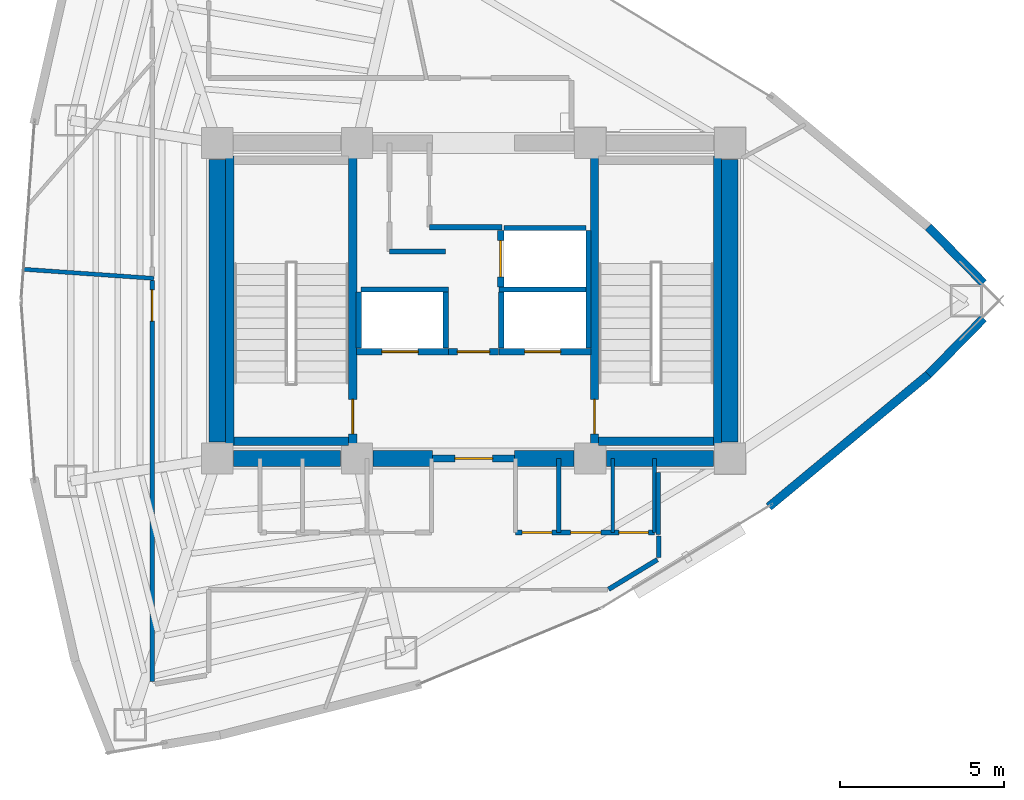
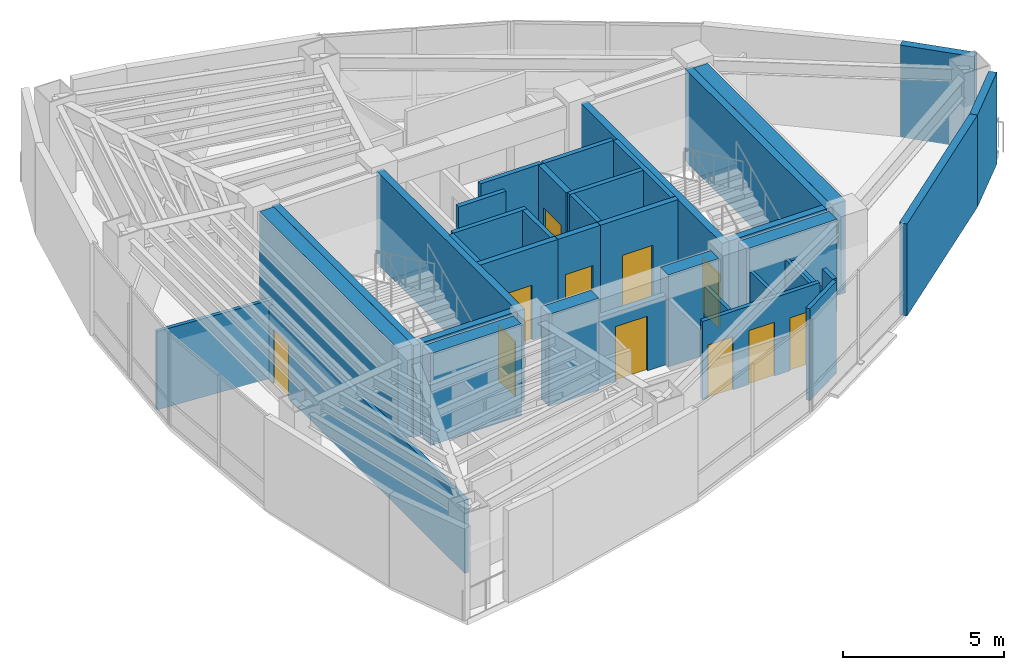
# One storey, part 12 of 15: 38 walls, 11 doors, 11 openings.
"""IFC4 building model written with IfcOpenShell, lengths in metres."""

from ifc_helpers import new_model, si_unit, direction, frame, frame_2d, origin, place, context, subcontext, project, spatial, rectangle, extrude, material, layer, layer_set, type_object, element, fill, save


model = new_model("IFC4")

# Units and contexts
model_context = context("Model", 3, precision=1e-05, world=origin(), true_north=direction((0.0, 1.0)))
body_context = subcontext(model_context, "Body", "Model", "MODEL_VIEW")
ifc_project = project(units=[si_unit("LENGTHUNIT", "METRE"), si_unit("AREAUNIT", "SQUARE_METRE"), si_unit("VOLUMEUNIT", "CUBIC_METRE"), si_unit("PLANEANGLEUNIT", "RADIAN"), si_unit("MASSUNIT", "GRAM", prefix="KILO")], contexts=[model_context])

# Site, building, storey
site_placement = place(None, origin())
site = spatial("IfcSite", under=ifc_project, at=site_placement, CompositionType="ELEMENT")
building_placement = place(site_placement, origin())
building = spatial("IfcBuilding", under=site, at=building_placement, Name="Menara Vayukalpa", CompositionType="ELEMENT")
storey_placement = place(building_placement, frame((0.0, 0.0, 223.260009765625)))
storey = spatial("IfcBuildingStorey", under=building, at=storey_placement, Name="L56", CompositionType="ELEMENT", Elevation=223.260009765625)

# Walls
ifc_material_1 = material(Name="Concrete C60/75", Category="concrete")
ifc_layer_1 = layer(ifc_material_1, 0.5)
ifc_layer_set_1 = layer_set([ifc_layer_1], Name="Concrete C60/75")
wall_type_1 = type_object("IfcWallType", Name="WAL-CW500", PredefinedType="SHEAR", material=ifc_layer_set_1)
wall_1_placement = place(storey_placement, frame((18.294921875, 17.199951171875, 0.0), z_axis=(0.0, 0.0, 1.0), x_axis=(1.0, 0.0, 0.0)))
element("IfcWall", 1, at=wall_1_placement, inside=storey, type_object=wall_type_1, Name="L56 Buttressed Core Shear Wall CWS1", PredefinedType="SHEAR", context=body_context, shape_type="SweptSolid", body=[
    extrude(rectangle(XDim=3.260009765625, YDim=0.5, at=frame_2d((1.6298828125, 0.0))), origin(), (0.0, 0.0, 1.0), 3.5),
])
wall_2_placement = place(storey_placement, frame((22.544921875, 17.199951171875, 0.0), z_axis=(0.0, 0.0, 1.0), x_axis=(1.0, 0.0, 0.0)))
element("IfcWall", 2, at=wall_2_placement, inside=storey, type_object=wall_type_1, Name="L56 Buttressed Core Shear Wall CWS2", PredefinedType="SHEAR", context=body_context, shape_type="SweptSolid", body=[
    extrude(rectangle(XDim=1.80517578125, YDim=0.5, at=frame_2d((0.902587890625, 0.0))), origin(), (0.0, 0.0, 1.0), 3.5),
])
wall_3_placement = place(storey_placement, frame((26.85009765625, 17.199951171875, 0.0), z_axis=(0.0, 0.0, 1.0), x_axis=(1.0, 0.0, 0.0)))
element("IfcWall", 3, at=wall_3_placement, inside=storey, type_object=wall_type_1, Name="L56 Buttressed Core Shear Wall CWS3", PredefinedType="SHEAR", context=body_context, shape_type="SweptSolid", body=[
    extrude(rectangle(XDim=1.804931640625, YDim=0.5, at=frame_2d((0.90234375, 0.0))), origin(), (0.0, 0.0, 1.0), 3.5),
])
wall_4_placement = place(storey_placement, frame((29.64501953125, 17.199951171875, 0.0), z_axis=(0.0, 0.0, 1.0), x_axis=(1.0, 0.0, 0.0)))
element("IfcWall", 4, at=wall_4_placement, inside=storey, type_object=wall_type_1, Name="L56 Buttressed Core Shear Wall CWS4", PredefinedType="SHEAR", context=body_context, shape_type="SweptSolid", body=[
    extrude(rectangle(XDim=3.260009765625, YDim=0.5, at=frame_2d((1.6298828125, 0.0))), origin(), (0.0, 0.0, 1.0), 3.5),
])
for number, where, z_axis, x_axis, name in (
    (5, (17.800048828125, 17.695068359375, 0.0), (0.0, 0.0, 1.0), (0.0, 1.0, 0.0), "L56 Buttressed Core Shear Wall CWW1"),
    (6, (33.39990234375, 17.695068359375, 0.0), (0.0, 0.0, 1.0), (0.0, 1.0, 0.0), "L56 Buttressed Core Shear Wall CWE1"),
):
    element("IfcWall", number, at=place(storey_placement, frame(where, z_axis=z_axis, x_axis=x_axis)), inside=storey, type_object=wall_type_1, Name=name, PredefinedType="SHEAR", context=body_context, shape_type="SweptSolid", body=[
        extrude(rectangle(XDim=8.60986328125, YDim=0.5, at=frame_2d((4.304931640625, 0.0))), origin(), (0.0, 0.0, 1.0), 3.5),
    ])
ifc_material_2 = material(Name="Insulated Precast Concrete C40/50", Category="concrete")
ifc_layer_2 = layer(ifc_material_2, 0.260009765625)
ifc_layer_set_2 = layer_set([ifc_layer_2], Name="Insulated Precast Concrete C40/50")
wall_type_2 = type_object("IfcWallType", Name="WAL-EXT260", PredefinedType="PARTITIONING", material=ifc_layer_set_2)
for number, where, z_axis, x_axis, name in (
    (7, (41.11669921875, 21.466552734375, 0.0), (0.0, 0.0, 1.0), (-0.700567481584, -0.7135861572, 0.0), "L56 Perimeter Terracotta Pier Wall 01"),
    (8, (39.43505859375, 24.246337890625, 0.0), (0.0, 0.0, 1.0), (0.700567481584, -0.7135861572, 0.0), "L56 Perimeter Terracotta Pier Wall 02"),
):
    element("IfcWall", number, at=place(storey_placement, frame(where, z_axis=z_axis, x_axis=x_axis)), inside=storey, type_object=wall_type_2, Name=name, PredefinedType="PARTITIONING", context=body_context, shape_type="SweptSolid", body=[
        extrude(rectangle(XDim=2.400390625, YDim=0.260009765625, at=frame_2d((1.2001953125, 0.0))), origin(), (0.0, 0.0, 1.0), 3.5),
    ])
wall_5_placement = place(storey_placement, frame((39.44384765625, 19.76171875, 0.0), z_axis=(0.0, 0.0, 1.0), x_axis=(-0.769765373155, -0.638326930571, 0.0)))
element("IfcWall", 9, at=wall_5_placement, inside=storey, type_object=wall_type_2, Name="L56 Perimeter Terracotta Pier Wall 18", PredefinedType="PARTITIONING", context=body_context, shape_type="SweptSolid", body=[
    extrude(rectangle(XDim=6.3154296875, YDim=0.260009765625, at=frame_2d((3.15771484375, 0.0))), origin(), (0.0, 0.0, 1.0), 3.5),
])
ifc_material_3 = material(Name="Lightweight Concrete Blockwork C16/20", Category="masonry")
ifc_layer_3 = layer(ifc_material_3, 0.159912109375)
ifc_layer_set_3 = layer_set([ifc_layer_3], Name="Lightweight Concrete Blockwork C16/20")
wall_type_3 = type_object("IfcWallType", Name="WAL-FR150", PredefinedType="PARTITIONING", material=ifc_layer_set_3)
for number, where, z_axis, x_axis, name in (
    (10, (22.10498046875, 20.56005859375, 0.0), (0.0, 0.0, 1.0), (0.0, 1.0, 0.0), "L56 Interior Partition IW-L56-SHW-WW"),
    (11, (24.7548828125, 20.56005859375, 0.0), (0.0, 0.0, 1.0), (0.0, 1.0, 0.0), "L56 Interior Partition IW-L56-SHW-W1E"),
):
    element("IfcWall", number, at=place(storey_placement, frame(where, z_axis=z_axis, x_axis=x_axis)), inside=storey, type_object=wall_type_3, Name=name, PredefinedType="PARTITIONING", context=body_context, shape_type="SweptSolid", body=[
        extrude(rectangle(XDim=1.7099609375, YDim=0.159912109375, at=frame_2d((0.85498046875, 0.0))), origin(), (0.0, 0.0, 1.0), 3.5),
    ])
wall_6_placement = place(storey_placement, frame((22.179931640625, 22.344970703125, 0.0), z_axis=(0.0, 0.0, 1.0), x_axis=(1.0, 0.0, 0.0)))
element("IfcWall", 12, at=wall_6_placement, inside=storey, type_object=wall_type_3, Name="L56 Interior Partition IW-L56-SHM-W12", PredefinedType="PARTITIONING", context=body_context, shape_type="SweptSolid", body=[
    extrude(rectangle(XDim=2.650146484375, YDim=0.159912109375, at=frame_2d((1.3251953125, 0.0))), origin(), (0.0, 0.0, 1.0), 3.5),
])
wall_7_placement = place(storey_placement, frame((29.094970703125, 20.56005859375, 0.0), z_axis=(0.0, 0.0, 1.0), x_axis=(0.0, 1.0, 0.0)))
element("IfcWall", 13, at=wall_7_placement, inside=storey, type_object=wall_type_3, Name="L56 Interior Partition IW-L56-SHW-EE", PredefinedType="PARTITIONING", context=body_context, shape_type="SweptSolid", body=[
    extrude(rectangle(XDim=3.579833984375, YDim=0.159912109375, at=frame_2d((1.7900390625, 0.0))), origin(), (0.0, 0.0, 1.0), 3.5),
])
wall_8_placement = place(storey_placement, frame((26.445068359375, 20.56005859375, 0.0), z_axis=(0.0, 0.0, 1.0), x_axis=(0.0, 1.0, 0.0)))
element("IfcWall", 14, at=wall_8_placement, inside=storey, type_object=wall_type_3, Name="L56 Interior Partition IW-L56-SHW-E1W", PredefinedType="PARTITIONING", context=body_context, shape_type="SweptSolid", body=[
    extrude(rectangle(XDim=1.7099609375, YDim=0.159912109375, at=frame_2d((0.85498046875, 0.0))), origin(), (0.0, 0.0, 1.0), 3.5),
])
wall_9_placement = place(storey_placement, frame((26.3701171875, 22.344970703125, 0.0), z_axis=(0.0, 0.0, 1.0), x_axis=(1.0, 0.0, 0.0)))
element("IfcWall", 15, at=wall_9_placement, inside=storey, type_object=wall_type_3, Name="L56 Interior Partition IW-L56-SHM-E13", PredefinedType="PARTITIONING", context=body_context, shape_type="SweptSolid", body=[
    extrude(rectangle(XDim=2.64990234375, YDim=0.159912109375, at=frame_2d((1.324951171875, 0.0))), origin(), (0.0, 0.0, 1.0), 3.5),
])
wall_10_placement = place(storey_placement, frame((26.530029296875, 24.215087890625, 0.0), z_axis=(0.0, 0.0, 1.0), x_axis=(1.0, 0.0, 0.0)))
element("IfcWall", 16, at=wall_10_placement, inside=storey, type_object=wall_type_3, Name="L56 Interior Partition IW-L56-SHM-E32", PredefinedType="PARTITIONING", context=body_context, shape_type="SweptSolid", body=[
    extrude(rectangle(XDim=2.489990234375, YDim=0.159912109375, at=frame_2d((1.2451171875, 0.0))), origin(), (0.0, 0.0, 1.0), 3.5),
])
wall_11_placement = place(storey_placement, frame((23.0400390625, 23.5, 0.0), z_axis=(0.0, 0.0, 1.0), x_axis=(1.0, 0.0, 0.0)))
element("IfcWall", 17, at=wall_11_placement, inside=storey, type_object=wall_type_3, Name="L56 Interior Partition IW-L56-LV7WA", PredefinedType="PARTITIONING", context=body_context, shape_type="SweptSolid", body=[
    extrude(rectangle(XDim=1.699951171875, YDim=0.159912109375, at=frame_2d((0.85009765625, 0.0))), origin(), (0.0, 0.0, 1.0), 3.5),
])
wall_12_placement = place(storey_placement, frame((24.260009765625, 24.239990234375, 0.0), z_axis=(0.0, 0.0, 1.0), x_axis=(1.0, 0.0, 0.0)))
element("IfcWall", 18, at=wall_12_placement, inside=storey, type_object=wall_type_3, Name="L56 Interior Partition IW-L56-LV7EA", PredefinedType="PARTITIONING", context=body_context, shape_type="SweptSolid", body=[
    extrude(rectangle(XDim=2.199951171875, YDim=0.159912109375, at=frame_2d((1.10009765625, 0.0))), origin(), (0.0, 0.0, 1.0), 3.5),
])

# Wall, opening, door
ifc_material_4 = material(Name="Lightweight Concrete Blockwork C16/20", Category="masonry")
ifc_layer_4 = layer(ifc_material_4, 0.199951171875)
ifc_layer_set_4 = layer_set([ifc_layer_4], Name="Lightweight Concrete Blockwork C16/20")
wall_type_4 = type_object("IfcWallType", Name="WAL-FR200", PredefinedType="PARTITIONING", material=ifc_layer_set_4)
wall_13_placement = place(storey_placement, frame((24.35009765625, 17.199951171875, 0.0), z_axis=(0.0, 0.0, 1.0), x_axis=(1.0, 0.0, 0.0)))
wall_13 = element("IfcWall", 19, at=wall_13_placement, inside=storey, type_object=wall_type_4, Name="L56 Interior Partition IW-L56-FFLS", PredefinedType="PARTITIONING", context=body_context, shape_type="SweptSolid", body=[
    extrude(rectangle(XDim=2.5, YDim=0.199951171875, at=frame_2d((1.25, 0.0))), origin(), (0.0, 0.0, 1.0), 2.6298828125),
])
opening_1_placement = place(wall_13_placement, frame((0.679931640625, 0.0, 0.0)))
opening_1 = element("IfcOpeningElement", 20, at=opening_1_placement, cuts=wall_13, Name="Opening ID2", PredefinedType="OPENING", context=body_context, shape_type="SweptSolid", body=[
    extrude(rectangle(XDim=1.14990234375, YDim=2.080078125, at=frame_2d((0.574951171875, 1.0400390625))), frame((0.0, 0.10986328125, 0.0), z_axis=(0.0, -1.0, 0.0), x_axis=(1.0, 0.0, 0.0)), (0.0, 0.0, 1.0), 0.219970703125),
])
ifc_material_5 = material(Name="Fire-Rated Powder-Coated Steel Door", Category="steel")
door_type_1 = type_object("IfcDoorType", Name="DR-FD60W", OperationType="NOTDEFINED", PredefinedType="DOOR", material=ifc_material_5)
door_1_placement = place(opening_1_placement, origin())
door_1 = element("IfcDoor", 21, at=door_1_placement, inside=storey, type_object=door_type_1, Name="L56 Interior Door DR-L56-FFLS", OperationType="SINGLE_SWING_RIGHT", OverallHeight=2.080078125, OverallWidth=1.14990234375, PredefinedType="DOOR", context=body_context, shape_type="SweptSolid", body=[
    extrude(rectangle(XDim=1.14990234375, YDim=2.080078125, at=frame_2d((0.574951171875, 1.0400390625))), frame((0.0, 0.02490234375, 0.0), z_axis=(0.0, -1.0, 0.0), x_axis=(1.0, 0.0, 0.0)), (0.0, 0.0, 1.0), 0.050048828125),
])
fill(opening_1, door_1)

wall_14_placement = place(storey_placement, frame((24.840087890625, 20.449951171875, 0.0), z_axis=(0.0, 0.0, 1.0), x_axis=(1.0, 0.0, 0.0)))
wall_14 = element("IfcWall", 22, at=wall_14_placement, inside=storey, type_object=wall_type_4, Name="L56 Interior Partition IW-L56-FFLN", PredefinedType="PARTITIONING", context=body_context, shape_type="SweptSolid", body=[
    extrude(rectangle(XDim=1.52001953125, YDim=0.199951171875, at=frame_2d((0.760009765625, 0.0))), origin(), (0.0, 0.0, 1.0), 3.5),
])
opening_2_placement = place(wall_14_placement, frame((0.27001953125, 0.0, 0.0)))
opening_2 = element("IfcOpeningElement", 23, at=opening_2_placement, cuts=wall_14, Name="Opening ID3", PredefinedType="OPENING", context=body_context, shape_type="SweptSolid", body=[
    extrude(rectangle(XDim=0.97998046875, YDim=2.06005859375, at=frame_2d((0.489990234375, 1.030029296875))), frame((0.0, 0.10986328125, 0.0), z_axis=(0.0, -1.0, 0.0), x_axis=(1.0, 0.0, 0.0)), (0.0, 0.0, 1.0), 0.219970703125),
])
ifc_material_6 = material(Name="Fire-Rated Powder-Coated Steel Door", Category="steel")
door_type_2 = type_object("IfcDoorType", Name="DR-FD60", OperationType="NOTDEFINED", PredefinedType="DOOR", material=ifc_material_6)
door_2_placement = place(opening_2_placement, origin())
door_2 = element("IfcDoor", 24, at=door_2_placement, inside=storey, type_object=door_type_2, Name="L56 Interior Door DR-L56-FFLN", OperationType="SINGLE_SWING_LEFT", OverallHeight=2.06005859375, OverallWidth=0.97998046875, PredefinedType="DOOR", context=body_context, shape_type="SweptSolid", body=[
    extrude(rectangle(XDim=0.97998046875, YDim=2.06005859375, at=frame_2d((0.489990234375, 1.030029296875))), frame((0.0, 0.02490234375, 0.0), z_axis=(0.0, -1.0, 0.0), x_axis=(1.0, 0.0, 0.0)), (0.0, 0.0, 1.0), 0.050048828125),
])
fill(opening_2, door_2)

wall_15_placement = place(storey_placement, frame((22.030029296875, 20.449951171875, 0.0), z_axis=(0.0, 0.0, 1.0), x_axis=(1.0, 0.0, 0.0)))
wall_15 = element("IfcWall", 25, at=wall_15_placement, inside=storey, type_object=wall_type_4, Name="L56 Interior Partition IW-L56-SH-W1", PredefinedType="PARTITIONING", context=body_context, shape_type="SweptSolid", body=[
    extrude(rectangle(XDim=2.800048828125, YDim=0.199951171875, at=frame_2d((1.39990234375, 0.0))), origin(), (0.0, 0.0, 1.0), 3.5),
])
opening_3_placement = place(wall_15_placement, frame((0.780029296875, 0.0, 0.0)))
opening_3 = element("IfcOpeningElement", 26, at=opening_3_placement, cuts=wall_15, Name="Opening LD1", PredefinedType="OPENING", context=body_context, shape_type="SweptSolid", body=[
    extrude(rectangle(XDim=1.10009765625, YDim=2.080078125, at=frame_2d((0.550048828125, 1.0400390625))), frame((0.0, 0.10986328125, 0.0), z_axis=(0.0, -1.0, 0.0), x_axis=(1.0, 0.0, 0.0)), (0.0, 0.0, 1.0), 0.219970703125),
])
ifc_material_7 = material(Name="Brushed Stainless Steel 316 Lift Door", Category="steel")
door_type_3 = type_object("IfcDoorType", Name="DR-LD110", OperationType="NOTDEFINED", PredefinedType="DOOR", material=ifc_material_7)
door_3_placement = place(opening_3_placement, origin())
door_3 = element("IfcDoor", 27, at=door_3_placement, inside=storey, type_object=door_type_3, Name="L56 Interior Door DR-L56-LD-W1", OperationType="DOUBLE_DOOR_SLIDING", OverallHeight=2.080078125, OverallWidth=1.10009765625, PredefinedType="DOOR", context=body_context, shape_type="SweptSolid", body=[
    extrude(rectangle(XDim=1.10009765625, YDim=2.080078125, at=frame_2d((0.550048828125, 1.0400390625))), frame((0.0, 0.02490234375, 0.0), z_axis=(0.0, -1.0, 0.0), x_axis=(1.0, 0.0, 0.0)), (0.0, 0.0, 1.0), 0.050048828125),
])
fill(opening_3, door_3)

wall_16_placement = place(storey_placement, frame((26.3701171875, 20.449951171875, 0.0), z_axis=(0.0, 0.0, 1.0), x_axis=(1.0, 0.0, 0.0)))
wall_16 = element("IfcWall", 28, at=wall_16_placement, inside=storey, type_object=wall_type_4, Name="L56 Interior Partition IW-L56-SH-E1", PredefinedType="PARTITIONING", context=body_context, shape_type="SweptSolid", body=[
    extrude(rectangle(XDim=2.7998046875, YDim=0.199951171875, at=frame_2d((1.39990234375, 0.0))), origin(), (0.0, 0.0, 1.0), 3.5),
])
opening_4_placement = place(wall_16_placement, frame((0.780029296875, 0.0, 0.0)))
opening_4 = element("IfcOpeningElement", 29, at=opening_4_placement, cuts=wall_16, Name="Opening LD1", PredefinedType="OPENING", context=body_context, shape_type="SweptSolid", body=[
    extrude(rectangle(XDim=1.10009765625, YDim=2.080078125, at=frame_2d((0.550048828125, 1.0400390625))), frame((0.0, 0.10986328125, 0.0), z_axis=(0.0, -1.0, 0.0), x_axis=(1.0, 0.0, 0.0)), (0.0, 0.0, 1.0), 0.219970703125),
])
door_4_placement = place(opening_4_placement, origin())
door_4 = element("IfcDoor", 30, at=door_4_placement, inside=storey, type_object=door_type_3, Name="L56 Interior Door DR-L56-LD-E1", OperationType="DOUBLE_DOOR_SLIDING", OverallHeight=2.080078125, OverallWidth=1.10009765625, PredefinedType="DOOR", context=body_context, shape_type="SweptSolid", body=[
    extrude(rectangle(XDim=1.10009765625, YDim=2.080078125, at=frame_2d((0.550048828125, 1.0400390625))), frame((0.0, 0.02490234375, 0.0), z_axis=(0.0, -1.0, 0.0), x_axis=(1.0, 0.0, 0.0)), (0.0, 0.0, 1.0), 0.050048828125),
])
fill(opening_4, door_4)

wall_17_placement = place(storey_placement, frame((26.419921875, 22.419921875, 0.0), z_axis=(0.0, 0.0, 1.0), x_axis=(0.0, 1.0, 0.0)))
wall_17 = element("IfcWall", 31, at=wall_17_placement, inside=storey, type_object=wall_type_4, Name="L56 Interior Partition IW-L56-SH-E3", PredefinedType="PARTITIONING", context=body_context, shape_type="SweptSolid", body=[
    extrude(rectangle(XDim=1.719970703125, YDim=0.199951171875, at=frame_2d((0.85986328125, 0.0))), origin(), (0.0, 0.0, 1.0), 3.5),
])
opening_5_placement = place(wall_17_placement, frame((0.31005859375, 0.0, 0.0)))
opening_5 = element("IfcOpeningElement", 32, at=opening_5_placement, cuts=wall_17, Name="Opening LD1", PredefinedType="OPENING", context=body_context, shape_type="SweptSolid", body=[
    extrude(rectangle(XDim=1.10009765625, YDim=2.080078125, at=frame_2d((0.550048828125, 1.0400390625))), frame((0.0, 0.10986328125, 0.0), z_axis=(0.0, -1.0, 0.0), x_axis=(1.0, 0.0, 0.0)), (0.0, 0.0, 1.0), 0.219970703125),
])
door_5_placement = place(opening_5_placement, origin())
door_5 = element("IfcDoor", 33, at=door_5_placement, inside=storey, type_object=door_type_3, Name="L56 Interior Door DR-L56-LD-E3", OperationType="DOUBLE_DOOR_SLIDING", OverallHeight=2.080078125, OverallWidth=1.10009765625, PredefinedType="DOOR", context=body_context, shape_type="SweptSolid", body=[
    extrude(rectangle(XDim=1.10009765625, YDim=2.080078125, at=frame_2d((0.550048828125, 1.0400390625))), frame((0.0, 0.02490234375, 0.0), z_axis=(0.0, -1.0, 0.0), x_axis=(1.0, 0.0, 0.0)), (0.0, 0.0, 1.0), 0.050048828125),
])
fill(opening_5, door_5)

# Walls
ifc_material_8 = material(Name="Acoustic Mineral Stud Partition", Category="masonry")
ifc_layer_5 = layer(ifc_material_8, 0.110107421875)
ifc_layer_set_5 = layer_set([ifc_layer_5], Name="Acoustic Mineral Stud Partition")
wall_type_5 = type_object("IfcWallType", Name="WAL-PT110", PredefinedType="PARTITIONING", material=ifc_layer_set_5)
wall_18_placement = place(storey_placement, frame((29.830078125, 14.949951171875, 0.0), z_axis=(0.0, 0.0, 1.0), x_axis=(0.0, 1.0, 0.0)))
element("IfcWall", 34, at=wall_18_placement, inside=storey, type_object=wall_type_5, Name="L56 Interior Partition IW-L56-SVCD-07", PredefinedType="PARTITIONING", context=body_context, shape_type="SweptSolid", body=[
    extrude(rectangle(XDim=2.25, YDim=0.110107421875, at=frame_2d((1.125, 0.0))), origin(), (0.0, 0.0, 1.0), 2.6298828125),
])
ifc_material_9 = material(Name="Gypsum Drywall Steel Stud Assembly", Category="steel")
ifc_layer_6 = layer(ifc_material_9, 0.125)
ifc_layer_set_6 = layer_set([ifc_layer_6], Name="Gypsum Drywall Steel Stud Assembly")
wall_type_6 = type_object("IfcWallType", Name="WAL-PT125", PredefinedType="PARTITIONING", material=ifc_layer_set_6)
for number, where, z_axis, x_axis, name in (
    (35, (28.18994140625, 14.949951171875, 0.0), (0.0, 0.0, 1.0), (0.0, 1.0, 0.0), "L56 Interior Partition IW-L56-SVCD-06"),
    (36, (31.10009765625, 14.949951171875, 0.0), (0.0, 0.0, 1.0), (0.0, 1.0, 0.0), "L56 Interior Partition IW-L56-SVCD-08"),
):
    element("IfcWall", number, at=place(storey_placement, frame(where, z_axis=z_axis, x_axis=x_axis)), inside=storey, type_object=wall_type_6, Name=name, PredefinedType="PARTITIONING", context=body_context, shape_type="SweptSolid", body=[
        extrude(rectangle(XDim=2.25, YDim=0.125, at=frame_2d((1.125, 0.0))), origin(), (0.0, 0.0, 1.0), 2.6298828125),
    ])
wall_19_placement = place(storey_placement, frame((15.8701171875, 22.680419921875, 0.0), z_axis=(0.0, 0.0, 1.0), x_axis=(-0.997563019159, 0.069771217613, 0.0)))
element("IfcWall", 37, at=wall_19_placement, inside=storey, type_object=wall_type_6, Name="L56 Interior Partition IW-L56-RDIV03", PredefinedType="PARTITIONING", context=body_context, shape_type="SweptSolid", body=[
    extrude(rectangle(XDim=3.985595703125, YDim=0.125, at=frame_2d((1.99267578125, 0.0))), origin(), (0.0, 0.0, 1.0), 2.97998046875),
])

# Wall, openings, doors
ifc_material_10 = material(Name="Gypsum Drywall Acoustic Stud Assembly", Category="masonry")
ifc_layer_7 = layer(ifc_material_10, 0.14501953125)
ifc_layer_set_7 = layer_set([ifc_layer_7], Name="Gypsum Drywall Acoustic Stud Assembly")
wall_type_7 = type_object("IfcWallType", Name="WAL-PT150", PredefinedType="PARTITIONING", material=ifc_layer_set_7)
wall_20_placement = place(storey_placement, frame((26.8798828125, 14.949951171875, 0.0), z_axis=(0.0, 0.0, 1.0), x_axis=(1.0, 0.0, 0.0)))
wall_20 = element("IfcWall", 38, at=wall_20_placement, inside=storey, type_object=wall_type_7, Name="L56 Interior Partition IW-L56-SVCS-E", PredefinedType="PARTITIONING", context=body_context, shape_type="SweptSolid", body=[
    extrude(rectangle(XDim=4.22021484375, YDim=0.14501953125, at=frame_2d((2.110107421875, 0.0))), origin(), (0.0, 0.0, 1.0), 2.97998046875),
])
opening_6_placement = place(wall_20_placement, frame((0.199951171875, 0.0, 0.0)))
opening_6 = element("IfcOpeningElement", 39, at=opening_6_placement, cuts=wall_20, Name="Opening ID7", PredefinedType="OPENING", context=body_context, shape_type="SweptSolid", body=[
    extrude(rectangle(XDim=0.89990234375, YDim=2.02001953125, at=frame_2d((0.449951171875, 1.010009765625))), frame((0.0, 0.08251953125, 0.0), z_axis=(0.0, -1.0, 0.0), x_axis=(1.0, 0.0, 0.0)), (0.0, 0.0, 1.0), 0.1650390625),
])
opening_7_placement = place(wall_20_placement, frame((1.669921875, 0.0, 0.0)))
opening_7 = element("IfcOpeningElement", 40, at=opening_7_placement, cuts=wall_20, Name="Opening ID6", PredefinedType="OPENING", context=body_context, shape_type="SweptSolid", body=[
    extrude(rectangle(XDim=0.919921875, YDim=2.050048828125, at=frame_2d((0.4599609375, 1.02490234375))), frame((0.0, 0.08251953125, 0.0), z_axis=(0.0, -1.0, 0.0), x_axis=(1.0, 0.0, 0.0)), (0.0, 0.0, 1.0), 0.1650390625),
])
opening_8_placement = place(wall_20_placement, frame((3.139892578125, 0.0, 0.0)))
opening_8 = element("IfcOpeningElement", 41, at=opening_8_placement, cuts=wall_20, Name="Opening ID7", PredefinedType="OPENING", context=body_context, shape_type="SweptSolid", body=[
    extrude(rectangle(XDim=0.89990234375, YDim=2.02001953125, at=frame_2d((0.449951171875, 1.010009765625))), frame((0.0, 0.08251953125, 0.0), z_axis=(0.0, -1.0, 0.0), x_axis=(1.0, 0.0, 0.0)), (0.0, 0.0, 1.0), 0.1650390625),
])
ifc_material_11 = material(Name="Acoustic Hardwood Veneer Timber Door", Category="wood")
door_type_4 = type_object("IfcDoorType", Name="DR-INT92", OperationType="NOTDEFINED", PredefinedType="DOOR", material=ifc_material_11)
door_6_placement = place(opening_7_placement, origin())
door_6 = element("IfcDoor", 42, at=door_6_placement, inside=storey, type_object=door_type_4, Name="L56 Interior Door DR-L56-KSV2", OperationType="SINGLE_SWING_RIGHT", OverallHeight=2.050048828125, OverallWidth=0.919921875, PredefinedType="DOOR", context=body_context, shape_type="SweptSolid", body=[
    extrude(rectangle(XDim=0.919921875, YDim=2.050048828125, at=frame_2d((0.4599609375, 1.02490234375))), frame((0.0, 0.02490234375, 0.0), z_axis=(0.0, -1.0, 0.0), x_axis=(1.0, 0.0, 0.0)), (0.0, 0.0, 1.0), 0.050048828125),
])
fill(opening_7, door_6)
ifc_material_12 = material(Name="Powder-Coated Steel Riser Access Door", Category="steel")
door_type_5 = type_object("IfcDoorType", Name="DR-RISER", OperationType="NOTDEFINED", PredefinedType="DOOR", material=ifc_material_12)
door_7_placement = place(opening_6_placement, origin())
door_7 = element("IfcDoor", 43, at=door_7_placement, inside=storey, type_object=door_type_5, Name="L56 Interior Door DR-L56-KSV1", OperationType="SINGLE_SWING_LEFT", OverallHeight=2.02001953125, OverallWidth=0.89990234375, PredefinedType="DOOR", context=body_context, shape_type="SweptSolid", body=[
    extrude(rectangle(XDim=0.89990234375, YDim=2.02001953125, at=frame_2d((0.449951171875, 1.010009765625))), frame((0.0, 0.02490234375, 0.0), z_axis=(0.0, -1.0, 0.0), x_axis=(1.0, 0.0, 0.0)), (0.0, 0.0, 1.0), 0.050048828125),
])
fill(opening_6, door_7)
door_8_placement = place(opening_8_placement, origin())
door_8 = element("IfcDoor", 44, at=door_8_placement, inside=storey, type_object=door_type_5, Name="L56 Interior Door DR-L56-SMD", OperationType="SINGLE_SWING_LEFT", OverallHeight=2.02001953125, OverallWidth=0.89990234375, PredefinedType="DOOR", context=body_context, shape_type="SweptSolid", body=[
    extrude(rectangle(XDim=0.89990234375, YDim=2.02001953125, at=frame_2d((0.449951171875, 1.010009765625))), frame((0.0, 0.02490234375, 0.0), z_axis=(0.0, -1.0, 0.0), x_axis=(1.0, 0.0, 0.0)), (0.0, 0.0, 1.0), 0.050048828125),
])
fill(opening_8, door_8)

# Wall, opening, door
wall_21_placement = place(storey_placement, frame((15.820068359375, 22.61376953125, 0.0), z_axis=(0.0, 0.0, 1.0), x_axis=(0.0, -1.0, 0.0)))
wall_21 = element("IfcWall", 45, at=wall_21_placement, inside=storey, type_object=wall_type_7, Name="L56 Interior Partition IW-L56-CRM01-1", PredefinedType="PARTITIONING", context=body_context, shape_type="SweptSolid", body=[
    extrude(rectangle(XDim=12.19287109375, YDim=0.14501953125, at=frame_2d((6.096435546875, 0.0))), origin(), (0.0, 0.0, 1.0), 2.780029296875),
])
opening_9_placement = place(wall_21_placement, frame((0.280029296875, 0.0, 0.0)))
opening_9 = element("IfcOpeningElement", 46, at=opening_9_placement, cuts=wall_21, Name="Opening ID5", PredefinedType="OPENING", context=body_context, shape_type="SweptSolid", body=[
    extrude(rectangle(XDim=0.949951171875, YDim=2.06005859375, at=frame_2d((0.47509765625, 1.030029296875))), frame((0.0, 0.08251953125, 0.0), z_axis=(0.0, -1.0, 0.0), x_axis=(1.0, 0.0, 0.0)), (0.0, 0.0, 1.0), 0.1650390625),
])
ifc_material_13 = material(Name="Acoustic Hardwood Veneer Timber Door", Category="wood")
door_type_6 = type_object("IfcDoorType", Name="DR-INT95", OperationType="NOTDEFINED", PredefinedType="DOOR", material=ifc_material_13)
door_9_placement = place(opening_9_placement, origin())
door_9 = element("IfcDoor", 47, at=door_9_placement, inside=storey, type_object=door_type_6, Name="L56 Interior Door DR-L56-RM01", OperationType="SINGLE_SWING_RIGHT", OverallHeight=2.06005859375, OverallWidth=0.949951171875, PredefinedType="DOOR", context=body_context, shape_type="SweptSolid", body=[
    extrude(rectangle(XDim=0.949951171875, YDim=2.06005859375, at=frame_2d((0.47509765625, 1.030029296875))), frame((0.0, 0.02490234375, 0.0), z_axis=(0.0, -1.0, 0.0), x_axis=(1.0, 0.0, 0.0)), (0.0, 0.0, 1.0), 0.050048828125),
])
fill(opening_9, door_9)

# Walls
wall_22_placement = place(storey_placement, frame((29.708984375, 13.2216796875, 0.0), z_axis=(0.0, 0.0, 1.0), x_axis=(0.854635840942, 0.519227868451, 0.0)))
element("IfcWall", 48, at=wall_22_placement, inside=storey, type_object=wall_type_7, Name="L56 Interior Partition IW-L56-CRM03-2", PredefinedType="PARTITIONING", context=body_context, shape_type="SweptSolid", body=[
    extrude(rectangle(XDim=1.734619140625, YDim=0.14501953125, at=frame_2d((0.8671875, 0.0))), origin(), (0.0, 0.0, 1.0), 3.5),
])
wall_23_placement = place(storey_placement, frame((31.22998046875, 14.190673828125, 0.0), z_axis=(0.0, 0.0, 1.0), x_axis=(0.0, 1.0, 0.0)))
element("IfcWall", 49, at=wall_23_placement, inside=storey, type_object=wall_type_7, Name="L56 Interior Partition IW-L56-CRM03-3", PredefinedType="PARTITIONING", context=body_context, shape_type="SweptSolid", body=[
    extrude(rectangle(XDim=0.659423828125, YDim=0.14501953125, at=frame_2d((0.32958984375, 0.0))), origin(), (0.0, 0.0, 1.0), 3.5),
])
wall_24_placement = place(storey_placement, frame((31.219970703125, 14.888671875, 0.0), z_axis=(0.0, 0.0, 1.0), x_axis=(0.0, 1.0, 0.0)))
element("IfcWall", 50, at=wall_24_placement, inside=storey, type_object=wall_type_7, Name="L56 Interior Partition IW-L56-CRM03-4", PredefinedType="PARTITIONING", context=body_context, shape_type="SweptSolid", body=[
    extrude(rectangle(XDim=1.891357421875, YDim=0.14501953125, at=frame_2d((0.94580078125, 0.0))), origin(), (0.0, 0.0, 1.0), 2.6298828125),
])
ifc_material_14 = material(Name="Concrete C50/60", Category="concrete")
ifc_layer_8 = layer(ifc_material_14, 0.25)
ifc_layer_set_8 = layer_set([ifc_layer_8], Name="Concrete C50/60")
wall_type_8 = type_object("IfcWallType", Name="WAL-SW250", PredefinedType="SHEAR", material=ifc_layer_set_8)
wall_25_placement = place(storey_placement, frame((18.178955078125, 17.60009765625, 0.0), z_axis=(0.0, 0.0, 1.0), x_axis=(0.0, 1.0, 0.0)))
element("IfcWall", 51, at=wall_25_placement, inside=storey, type_object=wall_type_8, Name="L56 ST1 Structural Stair Shaft Wall W", PredefinedType="SHEAR", context=body_context, shape_type="SweptSolid", body=[
    extrude(rectangle(XDim=8.7998046875, YDim=0.25, at=frame_2d((4.39990234375, 0.0))), origin(), (0.0, 0.0, 1.0), 3.5),
])

# Wall, opening, door
wall_26_placement = place(storey_placement, frame((21.925048828125, 17.60009765625, 0.0), z_axis=(0.0, 0.0, 1.0), x_axis=(0.0, 1.0, 0.0)))
wall_26 = element("IfcWall", 52, at=wall_26_placement, inside=storey, type_object=wall_type_8, Name="L56 ST1 Structural Stair Shaft Wall E", PredefinedType="SHEAR", context=body_context, shape_type="SweptSolid", body=[
    extrude(rectangle(XDim=8.7998046875, YDim=0.25, at=frame_2d((4.39990234375, 0.0))), origin(), (0.0, 0.0, 1.0), 3.5),
])
opening_10_placement = place(wall_26_placement, frame((0.35009765625, 0.0, 0.0)))
opening_10 = element("IfcOpeningElement", 53, at=opening_10_placement, cuts=wall_26, Name="Opening ID1", PredefinedType="OPENING", context=body_context, shape_type="SweptSolid", body=[
    extrude(rectangle(XDim=1.050048828125, YDim=2.080078125, at=frame_2d((0.52490234375, 1.0400390625))), frame((0.0, 0.135009765625, 0.0), z_axis=(0.0, -1.0, 0.0), x_axis=(1.0, 0.0, 0.0)), (0.0, 0.0, 1.0), 0.27001953125),
])
ifc_material_15 = material(Name="Fire-Rated Powder-Coated Steel Door", Category="steel")
door_type_7 = type_object("IfcDoorType", Name="DR-FD120", OperationType="NOTDEFINED", PredefinedType="DOOR", material=ifc_material_15)
door_10_placement = place(opening_10_placement, origin())
door_10 = element("IfcDoor", 54, at=door_10_placement, inside=storey, type_object=door_type_7, Name="L56 Stair Exit Door DR-L56-ST1", OperationType="SINGLE_SWING_LEFT", OverallHeight=2.080078125, OverallWidth=1.050048828125, PredefinedType="DOOR", context=body_context, shape_type="SweptSolid", body=[
    extrude(rectangle(XDim=1.050048828125, YDim=2.080078125, at=frame_2d((0.52490234375, 1.0400390625))), frame((0.0, 0.02490234375, 0.0), z_axis=(0.0, -1.0, 0.0), x_axis=(1.0, 0.0, 0.0)), (0.0, 0.0, 1.0), 0.050048828125),
])
fill(opening_10, door_10)

# Wall
wall_27_placement = place(storey_placement, frame((18.303955078125, 17.72509765625, 0.0), z_axis=(0.0, 0.0, 1.0), x_axis=(1.0, 0.0, 0.0)))
element("IfcWall", 55, at=wall_27_placement, inside=storey, type_object=wall_type_8, Name="L56 ST1 Structural Stair Shaft Wall S", PredefinedType="SHEAR", context=body_context, shape_type="SweptSolid", body=[
    extrude(rectangle(XDim=3.49609375, YDim=0.25, at=frame_2d((1.748046875, 0.0))), origin(), (0.0, 0.0, 1.0), 3.5),
])

# Wall, opening, door
wall_28_placement = place(storey_placement, frame((29.27490234375, 17.60009765625, 0.0), z_axis=(0.0, 0.0, 1.0), x_axis=(0.0, 1.0, 0.0)))
wall_28 = element("IfcWall", 56, at=wall_28_placement, inside=storey, type_object=wall_type_8, Name="L56 ST2 Structural Stair Shaft Wall W", PredefinedType="SHEAR", context=body_context, shape_type="SweptSolid", body=[
    extrude(rectangle(XDim=8.7998046875, YDim=0.25, at=frame_2d((4.39990234375, 0.0))), origin(), (0.0, 0.0, 1.0), 3.5),
])
opening_11_placement = place(wall_28_placement, frame((0.35009765625, 0.0, 0.0)))
opening_11 = element("IfcOpeningElement", 57, at=opening_11_placement, cuts=wall_28, Name="Opening ID1", PredefinedType="OPENING", context=body_context, shape_type="SweptSolid", body=[
    extrude(rectangle(XDim=1.050048828125, YDim=2.080078125, at=frame_2d((0.52490234375, 1.0400390625))), frame((0.0, 0.135009765625, 0.0), z_axis=(0.0, -1.0, 0.0), x_axis=(1.0, 0.0, 0.0)), (0.0, 0.0, 1.0), 0.27001953125),
])
door_11_placement = place(opening_11_placement, origin())
door_11 = element("IfcDoor", 58, at=door_11_placement, inside=storey, type_object=door_type_7, Name="L56 Stair Exit Door DR-L56-ST2", OperationType="SINGLE_SWING_RIGHT", OverallHeight=2.080078125, OverallWidth=1.050048828125, PredefinedType="DOOR", context=body_context, shape_type="SweptSolid", body=[
    extrude(rectangle(XDim=1.050048828125, YDim=2.080078125, at=frame_2d((0.52490234375, 1.0400390625))), frame((0.0, 0.02490234375, 0.0), z_axis=(0.0, -1.0, 0.0), x_axis=(1.0, 0.0, 0.0)), (0.0, 0.0, 1.0), 0.050048828125),
])
fill(opening_11, door_11)

# Walls
wall_29_placement = place(storey_placement, frame((33.02099609375, 17.60009765625, 0.0), z_axis=(0.0, 0.0, 1.0), x_axis=(0.0, 1.0, 0.0)))
element("IfcWall", 59, at=wall_29_placement, inside=storey, type_object=wall_type_8, Name="L56 ST2 Structural Stair Shaft Wall E", PredefinedType="SHEAR", context=body_context, shape_type="SweptSolid", body=[
    extrude(rectangle(XDim=8.7998046875, YDim=0.25, at=frame_2d((4.39990234375, 0.0))), origin(), (0.0, 0.0, 1.0), 3.5),
])
wall_30_placement = place(storey_placement, frame((29.39990234375, 17.72509765625, 0.0), z_axis=(0.0, 0.0, 1.0), x_axis=(1.0, 0.0, 0.0)))
element("IfcWall", 60, at=wall_30_placement, inside=storey, type_object=wall_type_8, Name="L56 ST2 Structural Stair Shaft Wall S", PredefinedType="SHEAR", context=body_context, shape_type="SweptSolid", body=[
    extrude(rectangle(XDim=3.49609375, YDim=0.25, at=frame_2d((1.748046875, 0.0))), origin(), (0.0, 0.0, 1.0), 3.5),
])

save(model, "model.ifc")
